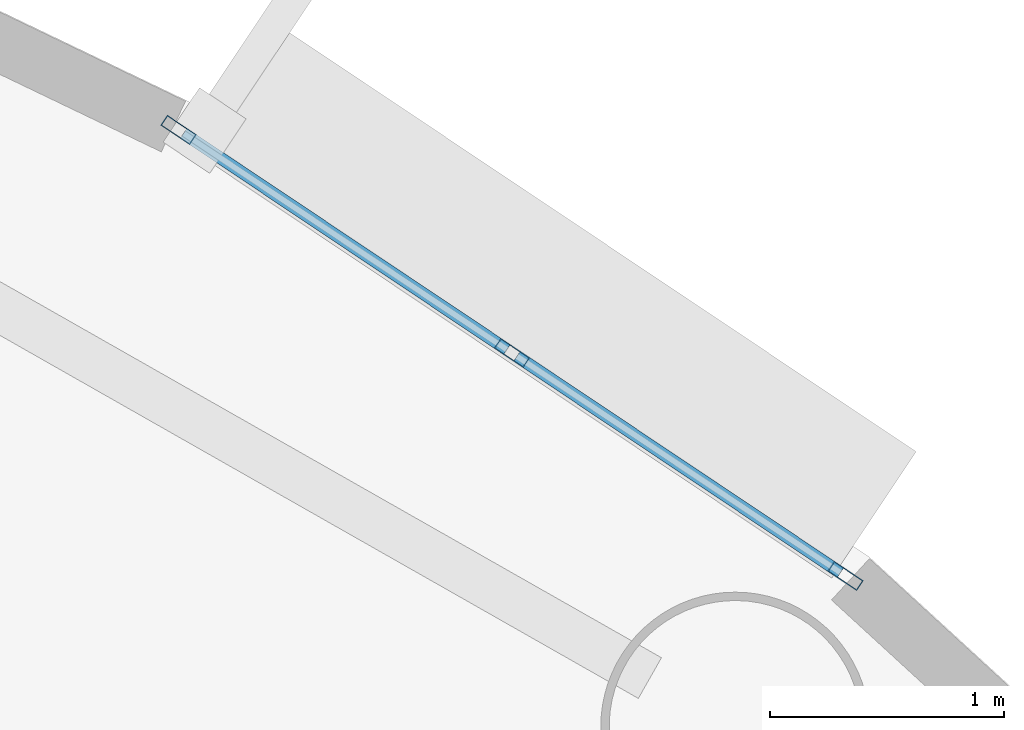
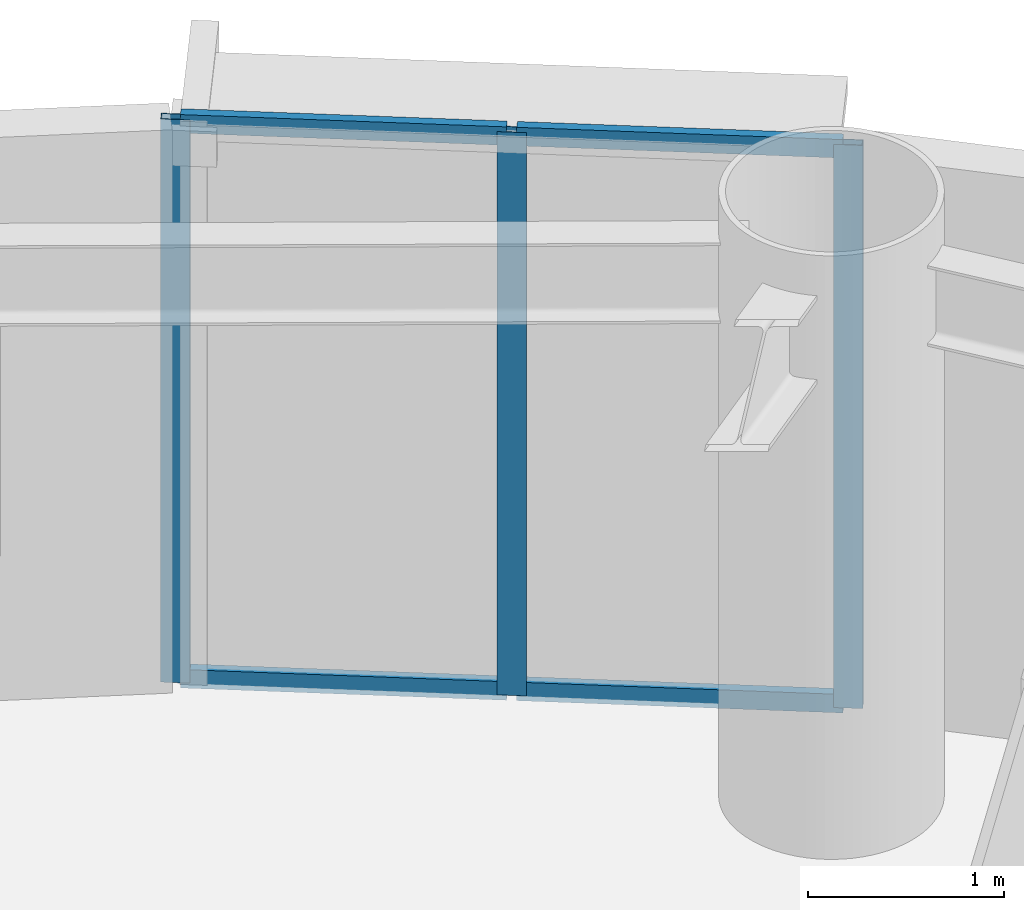
# One storey, part 5 of 21: 7 members, 1 element without a shape of its own.
"""IFC4 building model written with IfcOpenShell, lengths in metres."""

import ifcopenshell
import ifcopenshell.guid

model = None  # the IFC model being written
_history = None  # IfcOwnerHistory: only IFC2X3 demands one
_inside = {}  # id of a spatial element -> (the spatial element, [elements in it])
_under = {}  # id of a project, library or spatial element -> (it, [spatial elements below it])
_declared = {}  # id of a project -> (the project, [libraries it declares])
_typed = {}  # id of a type object -> (the type object, [elements of that type])
_made_of = {}  # id of a material, layer set ... -> (it, [elements and type objects made of it])


def new_model(schema):
    """Start an empty IFC model of exactly this schema.

    Asked for "IFC4X3", IfcOpenShell would pick the latest addendum, in which some entities
    have other attributes; the version numbers below select the first issue.
    IFC2X3 requires an IfcOwnerHistory on every rooted entity: one is made here for all.
    """
    global model, _history
    if schema == "IFC4X3":
        model = ifcopenshell.file(schema_version=(4, 3, 0, 0))
    else:
        model = ifcopenshell.file(schema=schema)
    _inside.clear()
    _under.clear()
    _declared.clear()
    _typed.clear()
    _made_of.clear()
    _history = None
    if model.schema == "IFC2X3":
        org = make("IfcOrganization", Name="unknown")
        user = make(
            "IfcPersonAndOrganization",
            ThePerson=make("IfcPerson", FamilyName="unknown"),
            TheOrganization=org,
        )
        app = make(
            "IfcApplication",
            ApplicationDeveloper=org,
            Version="unknown",
            ApplicationFullName="unknown",
            ApplicationIdentifier="unknown",
        )
        _history = make(
            "IfcOwnerHistory",
            OwningUser=user,
            OwningApplication=app,
            ChangeAction="ADDED",
            CreationDate=0,
        )
    return model


def make(cls, **values):
    """One entity of the class cls with the attributes given. An attribute that is None is left unset."""
    return model.create_entity(
        cls, **{name: value for name, value in values.items() if value is not None}
    )


def rooted(cls, **values):
    """An entity with a GlobalId (a new one), such as an element, a storey or a relation."""
    return make(cls, GlobalId=ifcopenshell.guid.new(), OwnerHistory=_history, **values)


def si_unit(unit_type, name, prefix=None):
    """IfcSIUnit, for example si_unit("LENGTHUNIT", "METRE", prefix="MILLI")."""
    return make("IfcSIUnit", UnitType=unit_type, Prefix=prefix, Name=name)


def assignment(units):
    """IfcUnitAssignment: the units of a project."""
    return None if units is None else make("IfcUnitAssignment", Units=units)


def point(xyz):
    """IfcCartesianPoint."""
    return None if xyz is None else make("IfcCartesianPoint", Coordinates=xyz)


def direction(xyz):
    """IfcDirection."""
    return None if xyz is None else make("IfcDirection", DirectionRatios=xyz)


def frame(location, z_axis=None, x_axis=None):
    """IfcAxis2Placement3D, a coordinate frame: its origin and axes. An axis left out is left unset."""
    return make(
        "IfcAxis2Placement3D",
        Location=point(location),
        Axis=direction(z_axis),
        RefDirection=direction(x_axis),
    )


def frame_2d(location, x_axis=None):
    """IfcAxis2Placement2D, a coordinate frame in the plane: its origin and x axis."""
    return make(
        "IfcAxis2Placement2D", Location=point(location), RefDirection=direction(x_axis)
    )


def origin():
    """The frame at (0, 0, 0) with its axes left unset."""
    return frame((0.0, 0.0, 0.0))


def origin_2d():
    """The frame at (0, 0) in the plane with its x axis left unset."""
    return frame_2d((0.0, 0.0))


def place(relative_to, where):
    """IfcLocalPlacement: puts the frame where relative to a parent placement (None: the world)."""
    return make(
        "IfcLocalPlacement", PlacementRelTo=relative_to, RelativePlacement=where
    )


def context(
    kind, dimensions, precision=None, world=None, true_north=None, identifier=None
):
    """IfcGeometricRepresentationContext, for example the 3D "Model" context."""
    return make(
        "IfcGeometricRepresentationContext",
        ContextIdentifier=identifier,
        ContextType=kind,
        CoordinateSpaceDimension=dimensions,
        Precision=precision,
        WorldCoordinateSystem=world,
        TrueNorth=true_north,
    )


def subcontext(parent, identifier, kind, view, scale=None):
    """IfcGeometricRepresentationSubContext, for example "Body" below "Model"."""
    return make(
        "IfcGeometricRepresentationSubContext",
        ContextIdentifier=identifier,
        ContextType=kind,
        ParentContext=parent,
        TargetScale=scale,
        TargetView=view,
    )


def project(units=None, contexts=None):
    """IfcProject with its units and contexts."""
    return rooted(
        "IfcProject",
        Name="project",
        RepresentationContexts=contexts,
        UnitsInContext=assignment(units),
    )


def spatial(cls, under=None, at=None, **own):
    """A site, building, storey or space (cls), placed at a placement, below another one or the project."""
    s = rooted(cls, ObjectPlacement=at, **own)
    if under is not None:
        _under.setdefault(under.id(), (under, []))[1].append(s)
    return s


def profile(cls, at=None, kind="AREA", **sizes):
    """A parametric profile (cls). Its sizes go by their IFC names, for example OverallWidth=200.0."""
    return make(cls, ProfileType=kind, Position=at, **sizes)


def hollow_rectangle(**sizes):
    """IfcRectangleHollowProfileDef."""
    return profile("IfcRectangleHollowProfileDef", **sizes)


def extrude(swept, where, along, depth):
    """IfcExtrudedAreaSolid: the profile swept, set in the frame where, extruded along a direction by depth."""
    return make(
        "IfcExtrudedAreaSolid",
        SweptArea=swept,
        Position=where,
        ExtrudedDirection=direction(along),
        Depth=depth,
    )


def shape(context_of_items, identifier, shape_type, items):
    """IfcShapeRepresentation: the items that make up one representation, for example the "Body"."""
    return make(
        "IfcShapeRepresentation",
        ContextOfItems=context_of_items,
        RepresentationIdentifier=identifier,
        RepresentationType=shape_type,
        Items=items,
    )


def source(mapping_origin, context_of_items, identifier, shape_type, items):
    """IfcRepresentationMap: a shape defined once, which mapped items show again and again."""
    return make(
        "IfcRepresentationMap",
        MappingOrigin=mapping_origin,
        MappedRepresentation=shape(context_of_items, identifier, shape_type, items),
    )


def transform(
    local_origin,
    x_axis=None,
    y_axis=None,
    z_axis=None,
    scale=None,
    scale2=None,
    scale3=None,
    uniform=True,
):
    """IfcCartesianTransformationOperator3D, or its non-uniform kind. x_axis, y_axis, z_axis: its Axis1, 2, 3."""
    if uniform:
        return make(
            "IfcCartesianTransformationOperator3D",
            Axis1=direction(x_axis),
            Axis2=direction(y_axis),
            LocalOrigin=point(local_origin),
            Scale=scale,
            Axis3=direction(z_axis),
        )
    return make(
        "IfcCartesianTransformationOperator3DnonUniform",
        Axis1=direction(x_axis),
        Axis2=direction(y_axis),
        LocalOrigin=point(local_origin),
        Scale=scale,
        Axis3=direction(z_axis),
        Scale2=scale2,
        Scale3=scale3,
    )


def mapped(mapping_source, mapping_target):
    """IfcMappedItem: shows the shape of a source again, moved by a transform."""
    return make(
        "IfcMappedItem", MappingSource=mapping_source, MappingTarget=mapping_target
    )


def material(Name=None, Category=None):
    """IfcMaterial."""
    return make("IfcMaterial", Name=Name, Category=Category)


def layer(
    of_material, thickness, ventilated=None, Name=None, Category=None, Priority=None
):
    """IfcMaterialLayer: one layer of a wall or slab, of a material (None: an air gap)."""
    return make(
        "IfcMaterialLayer",
        Material=of_material,
        LayerThickness=thickness,
        IsVentilated=ventilated,
        Name=Name,
        Category=Category,
        Priority=Priority,
    )


def layer_set(layers, Name=None):
    """IfcMaterialLayerSet."""
    return make("IfcMaterialLayerSet", MaterialLayers=layers, LayerSetName=Name)


def material_profile(
    of_material, cross_section, Name=None, Category=None, Priority=None
):
    """IfcMaterialProfile: a cross section and its material."""
    return make(
        "IfcMaterialProfile",
        Name=Name,
        Material=of_material,
        Profile=cross_section,
        Priority=Priority,
        Category=Category,
    )


def profile_set(profiles, Name=None, composite=None):
    """IfcMaterialProfileSet."""
    return make(
        "IfcMaterialProfileSet",
        Name=Name,
        MaterialProfiles=profiles,
        CompositeProfile=composite,
    )


def made_of(thing, what):
    """Note that an element or type object is made of a material, layer set ...; save() writes the relation."""
    if what is not None:
        _made_of.setdefault(what.id(), (what, []))[1].append(thing)
    return thing


def type_object(cls, material=None, **own):
    """A type object (cls), such as IfcWallType, which elements share."""
    return made_of(rooted(cls, **own), material)


def element(
    cls,
    number,
    at=None,
    inside=None,
    cuts=None,
    type_object=None,
    material=None,
    context=None,
    identifier="Body",
    shape_type=None,
    held_by="IfcProductDefinitionShape",
    body=None,
    shapes=None,
    **own,
):
    """One element of the class cls, such as IfcWall. Its Tag is "e" and its number.

    at: its placement. inside: the storey or other place that contains it. cuts: it is an
    opening in that element (IfcRelVoidsElement). A single representation is given by context,
    identifier, shape_type and body (its items); several are given by shapes. held_by: the class
    of the entity that holds the representations. save() writes the other relations.
    """
    e = rooted(cls, Tag="e%d" % number, ObjectPlacement=at, **own)
    if body is not None:
        shapes = [shape(context, identifier, shape_type, body)]
    if shapes is not None:
        e.Representation = make(held_by, Representations=shapes)
    if inside is not None:
        _inside.setdefault(inside.id(), (inside, []))[1].append(e)
    if cuts is not None:
        rooted(
            "IfcRelVoidsElement", RelatingBuildingElement=cuts, RelatedOpeningElement=e
        )
    if type_object is not None:
        _typed.setdefault(type_object.id(), (type_object, []))[1].append(e)
    return made_of(e, material)


def aggregate(whole, parts):
    """IfcRelAggregates: a whole, such as a stair, and the parts it consists of."""
    return rooted("IfcRelAggregates", RelatingObject=whole, RelatedObjects=parts)


def save(model, path):
    """Write the relations noted so far, then the file.

    IfcRelAggregates (storeys below a building ...), IfcRelContainedInSpatialStructure (elements
    in a storey), IfcRelDefinesByType, IfcRelAssociatesMaterial and IfcRelDeclares: one each for
    every whole, place, type object, material and project.
    """
    for whole, parts in _under.values():
        aggregate(whole, parts)
    for where, things in _inside.values():
        rooted(
            "IfcRelContainedInSpatialStructure",
            RelatedElements=things,
            RelatingStructure=where,
        )
    for kind, things in _typed.values():
        rooted("IfcRelDefinesByType", RelatedObjects=things, RelatingType=kind)
    for what, things in _made_of.values():
        rooted("IfcRelAssociatesMaterial", RelatedObjects=things, RelatingMaterial=what)
    for by, libraries in _declared.values():
        rooted("IfcRelDeclares", RelatingContext=by, RelatedDefinitions=libraries)
    model.write(path)


model = new_model("IFC4")

# Units and contexts
model_context = context("Model", 3, precision=1e-05, world=origin(), true_north=direction((0.0, 1.0)))
body_context = subcontext(model_context, "Body", "Model", "MODEL_VIEW")
ifc_project = project(units=[si_unit("LENGTHUNIT", "METRE"), si_unit("AREAUNIT", "SQUARE_METRE"), si_unit("VOLUMEUNIT", "CUBIC_METRE"), si_unit("PLANEANGLEUNIT", "RADIAN"), si_unit("MASSUNIT", "GRAM", prefix="KILO")], contexts=[model_context])

# Site, building, storey
site_placement = place(None, origin())
site = spatial("IfcSite", under=ifc_project, at=site_placement, CompositionType="ELEMENT")
building_placement = place(site_placement, origin())
building = spatial("IfcBuilding", under=site, at=building_placement, Name="Linh Dai School and Residence Tower", CompositionType="ELEMENT")
storey_placement = place(building_placement, frame((0.0, 0.0, 251.550048828125)))
storey = spatial("IfcBuildingStorey", under=building, at=storey_placement, Name="L62", CompositionType="ELEMENT", Elevation=251.550048828125)

# Curtain wall, members
ifc_material_1 = material(Name="Aluminium Anodised Curtain Wall", Category="aluminium")
ifc_layer = layer(ifc_material_1, 0.14990234375)
ifc_layer_set = layer_set([ifc_layer], Name="Aluminium Anodised Curtain Wall")
curtain_wall_type = type_object("IfcCurtainWallType", Name="CW-SYS-4", PredefinedType="USERDEFINED", material=ifc_layer_set)
curtain_wall_placement = place(storey_placement, origin())
curtain_wall = element("IfcCurtainWall", 1, at=curtain_wall_placement, inside=storey, type_object=curtain_wall_type, Name="L62 CW4 Curtain Wall 06", ObjectType="RIBBON CURTAIN WALL", PredefinedType="USERDEFINED")
ifc_material_2 = material(Name="Aluminium Alloy 6063-T6", Category="aluminium")
ifc_material_profile_1 = material_profile(ifc_material_2, hollow_rectangle(XDim=0.052001953125, YDim=0.14990234375, WallThickness=0.00390625, at=origin_2d()), Name="RHS 150x52x4")
ifc_profile_set_1 = profile_set([ifc_material_profile_1], Name="Aluminium Alloy 6063-T6")
member_type_1 = type_object("IfcMemberType", Name="CW-SYS-4-MUL", PredefinedType="MULLION", material=ifc_profile_set_1)
shared_shape_1 = source(origin(), body_context, "Body", "SweptSolid", [
    extrude(hollow_rectangle(XDim=0.052001953125, YDim=0.14990234375, WallThickness=0.00390625, at=origin_2d()), origin(), (0.0, 0.0, 1.0), 3.5),
])
member_1_placement = place(storey_placement, frame((50.3017578125, 42.333251953125, 0.0), z_axis=(0.0, 0.0, 1.0), x_axis=(0.555887222025, 0.831257719597, 0.0)))
member_1 = element("IfcMember", 2, at=member_1_placement, type_object=member_type_1, Name="CW4 mullion 1", PredefinedType="MULLION", context=body_context, shape_type="MappedRepresentation", body=[
    mapped(shared_shape_1, transform((0.0, 0.0, 0.0), x_axis=(1.0, 0.0, 0.0), y_axis=(0.0, 1.0, 0.0), z_axis=(0.0, 0.0, 1.0), scale=1.0)),
])
member_2_placement = place(storey_placement, frame((51.728271484375, 41.379150390625, 0.0), z_axis=(0.0, 0.0, 1.0), x_axis=(0.555887222025, 0.831257719597, 0.0)))
member_2 = element("IfcMember", 3, at=member_2_placement, type_object=member_type_1, Name="CW4 mullion 2", PredefinedType="MULLION", context=body_context, shape_type="MappedRepresentation", body=[
    mapped(shared_shape_1, transform((0.0, 0.0, 0.0), x_axis=(1.0, 0.0, 0.0), y_axis=(0.0, 1.0, 0.0), z_axis=(0.0, 0.0, 1.0), scale=1.0)),
])
member_3_placement = place(storey_placement, frame((53.15478515625, 40.42529296875, 0.0), z_axis=(0.0, 0.0, 1.0), x_axis=(0.555887222025, 0.831257719597, 0.0)))
member_3 = element("IfcMember", 4, at=member_3_placement, type_object=member_type_1, Name="CW4 mullion 3", PredefinedType="MULLION", context=body_context, shape_type="MappedRepresentation", body=[
    mapped(shared_shape_1, transform((0.0, 0.0, 0.0), x_axis=(1.0, 0.0, 0.0), y_axis=(0.0, 1.0, 0.0), z_axis=(0.0, 0.0, 1.0), scale=1.0)),
])
ifc_material_profile_2 = material_profile(ifc_material_2, hollow_rectangle(XDim=0.052001953125, YDim=0.114990234375, WallThickness=0.00390625, at=origin_2d()), Name="RHS 115x52x4")
ifc_profile_set_2 = profile_set([ifc_material_profile_2], Name="Aluminium Alloy 6063-T6")
member_type_2 = type_object("IfcMemberType", Name="CW-SYS-4-TRN", PredefinedType="USERDEFINED", material=ifc_profile_set_2)
shared_shape_2 = source(origin(), body_context, "Body", "SweptSolid", [
    extrude(hollow_rectangle(XDim=0.052001953125, YDim=0.114990234375, WallThickness=0.00390625, at=origin_2d()), origin(), (0.0, 0.0, 1.0), 1.663818359375),
])
member_4_placement = place(storey_placement, frame((50.323486328125, 42.318603515625, 0.02587890625), z_axis=(0.83128193483, -0.555851009556, 0.0), x_axis=(0.555851009556, 0.83128193483, 0.0)))
member_4 = element("IfcMember", 5, at=member_4_placement, type_object=member_type_2, Name="CW4 transom 1.1", ObjectType="TRANSOM", PredefinedType="USERDEFINED", context=body_context, shape_type="MappedRepresentation", body=[
    mapped(shared_shape_2, transform((0.0, 0.0, 0.0), x_axis=(1.0, 0.0, 0.0), y_axis=(0.0, 1.0, 0.0), z_axis=(0.0, 0.0, 1.0), scale=1.0)),
])
member_5_placement = place(storey_placement, frame((50.323486328125, 42.318603515625, 3.473876953125), z_axis=(0.83128193483, -0.555851009556, 0.0), x_axis=(0.555851009556, 0.83128193483, 0.0)))
member_5 = element("IfcMember", 6, at=member_5_placement, type_object=member_type_2, Name="CW4 transom 1.2", ObjectType="TRANSOM", PredefinedType="USERDEFINED", context=body_context, shape_type="MappedRepresentation", body=[
    mapped(shared_shape_2, transform((0.0, 0.0, 0.0), x_axis=(1.0, 0.0, 0.0), y_axis=(0.0, 1.0, 0.0), z_axis=(0.0, 0.0, 1.0), scale=1.0)),
])
shared_shape_3 = source(origin(), body_context, "Body", "SweptSolid", [
    extrude(hollow_rectangle(XDim=0.052001953125, YDim=0.114990234375, WallThickness=0.00390625, at=origin_2d()), origin(), (0.0, 0.0, 1.0), 1.6640625),
])
member_6_placement = place(storey_placement, frame((51.749755859375, 41.36474609375, 0.02587890625), z_axis=(0.831259473046, -0.555884599959, 0.0), x_axis=(0.555884599959, 0.831259473046, 0.0)))
member_6 = element("IfcMember", 7, at=member_6_placement, type_object=member_type_2, Name="CW4 transom 2.1", ObjectType="TRANSOM", PredefinedType="USERDEFINED", context=body_context, shape_type="MappedRepresentation", body=[
    mapped(shared_shape_3, transform((0.0, 0.0, 0.0), x_axis=(1.0, 0.0, 0.0), y_axis=(0.0, 1.0, 0.0), z_axis=(0.0, 0.0, 1.0), scale=1.0)),
])
member_7_placement = place(storey_placement, frame((51.749755859375, 41.36474609375, 3.473876953125), z_axis=(0.831259473046, -0.555884599959, 0.0), x_axis=(0.555884599959, 0.831259473046, 0.0)))
member_7 = element("IfcMember", 8, at=member_7_placement, type_object=member_type_2, Name="CW4 transom 2.2", ObjectType="TRANSOM", PredefinedType="USERDEFINED", context=body_context, shape_type="MappedRepresentation", body=[
    mapped(shared_shape_3, transform((0.0, 0.0, 0.0), x_axis=(1.0, 0.0, 0.0), y_axis=(0.0, 1.0, 0.0), z_axis=(0.0, 0.0, 1.0), scale=1.0)),
])
aggregate(curtain_wall, [member_1, member_2, member_3, member_4, member_5, member_6, member_7])

save(model, "model.ifc")
